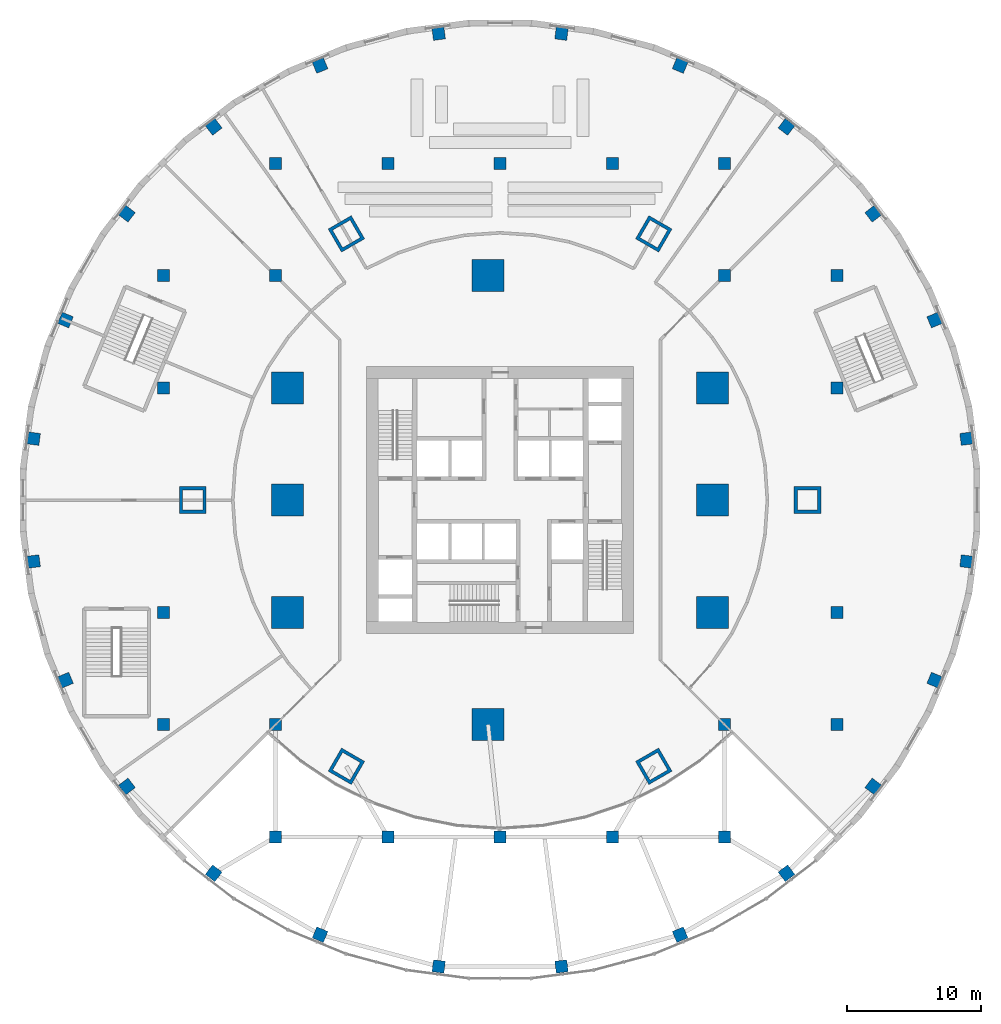
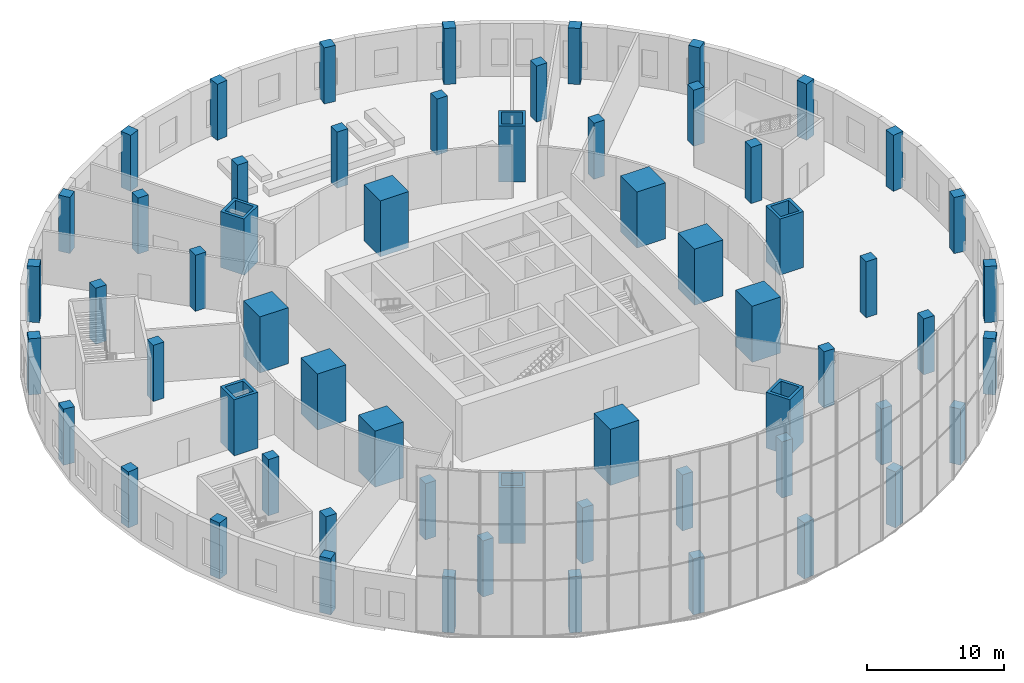
# One storey, part 1 of 17: 60 columns.
"""IFC4 building model written with IfcOpenShell, lengths in metres."""

import ifcopenshell
import ifcopenshell.guid

model = None  # the IFC model being written
_history = None  # IfcOwnerHistory: only IFC2X3 demands one
_inside = {}  # id of a spatial element -> (the spatial element, [elements in it])
_under = {}  # id of a project, library or spatial element -> (it, [spatial elements below it])
_declared = {}  # id of a project -> (the project, [libraries it declares])
_typed = {}  # id of a type object -> (the type object, [elements of that type])
_made_of = {}  # id of a material, layer set ... -> (it, [elements and type objects made of it])


def new_model(schema):
    """Start an empty IFC model of exactly this schema.

    Asked for "IFC4X3", IfcOpenShell would pick the latest addendum, in which some entities
    have other attributes; the version numbers below select the first issue.
    IFC2X3 requires an IfcOwnerHistory on every rooted entity: one is made here for all.
    """
    global model, _history
    if schema == "IFC4X3":
        model = ifcopenshell.file(schema_version=(4, 3, 0, 0))
    else:
        model = ifcopenshell.file(schema=schema)
    _inside.clear()
    _under.clear()
    _declared.clear()
    _typed.clear()
    _made_of.clear()
    _history = None
    if model.schema == "IFC2X3":
        org = make("IfcOrganization", Name="unknown")
        user = make(
            "IfcPersonAndOrganization",
            ThePerson=make("IfcPerson", FamilyName="unknown"),
            TheOrganization=org,
        )
        app = make(
            "IfcApplication",
            ApplicationDeveloper=org,
            Version="unknown",
            ApplicationFullName="unknown",
            ApplicationIdentifier="unknown",
        )
        _history = make(
            "IfcOwnerHistory",
            OwningUser=user,
            OwningApplication=app,
            ChangeAction="ADDED",
            CreationDate=0,
        )
    return model


def make(cls, **values):
    """One entity of the class cls with the attributes given. An attribute that is None is left unset."""
    return model.create_entity(
        cls, **{name: value for name, value in values.items() if value is not None}
    )


def rooted(cls, **values):
    """An entity with a GlobalId (a new one), such as an element, a storey or a relation."""
    return make(cls, GlobalId=ifcopenshell.guid.new(), OwnerHistory=_history, **values)


def si_unit(unit_type, name, prefix=None):
    """IfcSIUnit, for example si_unit("LENGTHUNIT", "METRE", prefix="MILLI")."""
    return make("IfcSIUnit", UnitType=unit_type, Prefix=prefix, Name=name)


def assignment(units):
    """IfcUnitAssignment: the units of a project."""
    return None if units is None else make("IfcUnitAssignment", Units=units)


def point(xyz):
    """IfcCartesianPoint."""
    return None if xyz is None else make("IfcCartesianPoint", Coordinates=xyz)


def direction(xyz):
    """IfcDirection."""
    return None if xyz is None else make("IfcDirection", DirectionRatios=xyz)


def frame(location, z_axis=None, x_axis=None):
    """IfcAxis2Placement3D, a coordinate frame: its origin and axes. An axis left out is left unset."""
    return make(
        "IfcAxis2Placement3D",
        Location=point(location),
        Axis=direction(z_axis),
        RefDirection=direction(x_axis),
    )


def frame_2d(location, x_axis=None):
    """IfcAxis2Placement2D, a coordinate frame in the plane: its origin and x axis."""
    return make(
        "IfcAxis2Placement2D", Location=point(location), RefDirection=direction(x_axis)
    )


def origin():
    """The frame at (0, 0, 0) with its axes left unset."""
    return frame((0.0, 0.0, 0.0))


def origin_2d():
    """The frame at (0, 0) in the plane with its x axis left unset."""
    return frame_2d((0.0, 0.0))


def place(relative_to, where):
    """IfcLocalPlacement: puts the frame where relative to a parent placement (None: the world)."""
    return make(
        "IfcLocalPlacement", PlacementRelTo=relative_to, RelativePlacement=where
    )


def context(
    kind, dimensions, precision=None, world=None, true_north=None, identifier=None
):
    """IfcGeometricRepresentationContext, for example the 3D "Model" context."""
    return make(
        "IfcGeometricRepresentationContext",
        ContextIdentifier=identifier,
        ContextType=kind,
        CoordinateSpaceDimension=dimensions,
        Precision=precision,
        WorldCoordinateSystem=world,
        TrueNorth=true_north,
    )


def subcontext(parent, identifier, kind, view, scale=None):
    """IfcGeometricRepresentationSubContext, for example "Body" below "Model"."""
    return make(
        "IfcGeometricRepresentationSubContext",
        ContextIdentifier=identifier,
        ContextType=kind,
        ParentContext=parent,
        TargetScale=scale,
        TargetView=view,
    )


def project(units=None, contexts=None):
    """IfcProject with its units and contexts."""
    return rooted(
        "IfcProject",
        Name="project",
        RepresentationContexts=contexts,
        UnitsInContext=assignment(units),
    )


def spatial(cls, under=None, at=None, **own):
    """A site, building, storey or space (cls), placed at a placement, below another one or the project."""
    s = rooted(cls, ObjectPlacement=at, **own)
    if under is not None:
        _under.setdefault(under.id(), (under, []))[1].append(s)
    return s


def profile(cls, at=None, kind="AREA", **sizes):
    """A parametric profile (cls). Its sizes go by their IFC names, for example OverallWidth=200.0."""
    return make(cls, ProfileType=kind, Position=at, **sizes)


def rectangle(**sizes):
    """IfcRectangleProfileDef."""
    return profile("IfcRectangleProfileDef", **sizes)


def hollow_rectangle(**sizes):
    """IfcRectangleHollowProfileDef."""
    return profile("IfcRectangleHollowProfileDef", **sizes)


def extrude(swept, where, along, depth):
    """IfcExtrudedAreaSolid: the profile swept, set in the frame where, extruded along a direction by depth."""
    return make(
        "IfcExtrudedAreaSolid",
        SweptArea=swept,
        Position=where,
        ExtrudedDirection=direction(along),
        Depth=depth,
    )


def shape(context_of_items, identifier, shape_type, items):
    """IfcShapeRepresentation: the items that make up one representation, for example the "Body"."""
    return make(
        "IfcShapeRepresentation",
        ContextOfItems=context_of_items,
        RepresentationIdentifier=identifier,
        RepresentationType=shape_type,
        Items=items,
    )


def material(Name=None, Category=None):
    """IfcMaterial."""
    return make("IfcMaterial", Name=Name, Category=Category)


def material_profile(
    of_material, cross_section, Name=None, Category=None, Priority=None
):
    """IfcMaterialProfile: a cross section and its material."""
    return make(
        "IfcMaterialProfile",
        Name=Name,
        Material=of_material,
        Profile=cross_section,
        Priority=Priority,
        Category=Category,
    )


def profile_set(profiles, Name=None, composite=None):
    """IfcMaterialProfileSet."""
    return make(
        "IfcMaterialProfileSet",
        Name=Name,
        MaterialProfiles=profiles,
        CompositeProfile=composite,
    )


def made_of(thing, what):
    """Note that an element or type object is made of a material, layer set ...; save() writes the relation."""
    if what is not None:
        _made_of.setdefault(what.id(), (what, []))[1].append(thing)
    return thing


def type_object(cls, material=None, **own):
    """A type object (cls), such as IfcWallType, which elements share."""
    return made_of(rooted(cls, **own), material)


def element(
    cls,
    number,
    at=None,
    inside=None,
    cuts=None,
    type_object=None,
    material=None,
    context=None,
    identifier="Body",
    shape_type=None,
    held_by="IfcProductDefinitionShape",
    body=None,
    shapes=None,
    **own,
):
    """One element of the class cls, such as IfcWall. Its Tag is "e" and its number.

    at: its placement. inside: the storey or other place that contains it. cuts: it is an
    opening in that element (IfcRelVoidsElement). A single representation is given by context,
    identifier, shape_type and body (its items); several are given by shapes. held_by: the class
    of the entity that holds the representations. save() writes the other relations.
    """
    e = rooted(cls, Tag="e%d" % number, ObjectPlacement=at, **own)
    if body is not None:
        shapes = [shape(context, identifier, shape_type, body)]
    if shapes is not None:
        e.Representation = make(held_by, Representations=shapes)
    if inside is not None:
        _inside.setdefault(inside.id(), (inside, []))[1].append(e)
    if cuts is not None:
        rooted(
            "IfcRelVoidsElement", RelatingBuildingElement=cuts, RelatedOpeningElement=e
        )
    if type_object is not None:
        _typed.setdefault(type_object.id(), (type_object, []))[1].append(e)
    return made_of(e, material)


def aggregate(whole, parts):
    """IfcRelAggregates: a whole, such as a stair, and the parts it consists of."""
    return rooted("IfcRelAggregates", RelatingObject=whole, RelatedObjects=parts)


def save(model, path):
    """Write the relations noted so far, then the file.

    IfcRelAggregates (storeys below a building ...), IfcRelContainedInSpatialStructure (elements
    in a storey), IfcRelDefinesByType, IfcRelAssociatesMaterial and IfcRelDeclares: one each for
    every whole, place, type object, material and project.
    """
    for whole, parts in _under.values():
        aggregate(whole, parts)
    for where, things in _inside.values():
        rooted(
            "IfcRelContainedInSpatialStructure",
            RelatedElements=things,
            RelatingStructure=where,
        )
    for kind, things in _typed.values():
        rooted("IfcRelDefinesByType", RelatedObjects=things, RelatingType=kind)
    for what, things in _made_of.values():
        rooted("IfcRelAssociatesMaterial", RelatedObjects=things, RelatingMaterial=what)
    for by, libraries in _declared.values():
        rooted("IfcRelDeclares", RelatingContext=by, RelatedDefinitions=libraries)
    model.write(path)


model = new_model("IFC4")

# Units and contexts
model_context = context("Model", 3, precision=1e-05, world=origin(), true_north=direction((0.0, 1.0)))
body_context = subcontext(model_context, "Body", "Model", "MODEL_VIEW")
ifc_project = project(units=[si_unit("LENGTHUNIT", "METRE"), si_unit("AREAUNIT", "SQUARE_METRE"), si_unit("VOLUMEUNIT", "CUBIC_METRE"), si_unit("PLANEANGLEUNIT", "RADIAN"), si_unit("MASSUNIT", "GRAM", prefix="KILO")], contexts=[model_context])

# Site, building, storey
site_placement = place(None, origin())
site = spatial("IfcSite", under=ifc_project, at=site_placement, CompositionType="ELEMENT")
building_placement = place(site_placement, origin())
building = spatial("IfcBuilding", under=site, at=building_placement, Name="Golbaran Civic Tower", CompositionType="ELEMENT")
storey_placement = place(building_placement, frame((0.0, 0.0, 6.0)))
storey = spatial("IfcBuildingStorey", under=building, at=storey_placement, Name="L01", CompositionType="ELEMENT", Elevation=6.0)

# Columns
ifc_material_1 = material(Name="Steel S355", Category="steel")
ifc_material_profile_1 = material_profile(ifc_material_1, hollow_rectangle(XDim=2.0, YDim=2.0, WallThickness=0.239990234375, at=origin_2d()), Name="BOX 2000x2000x240")
ifc_profile_set_1 = profile_set([ifc_material_profile_1], Name="Steel S355")
column_type_1 = type_object("IfcColumnType", Name="MEGA COLUMN BOX 2000x2000x240", PredefinedType="COLUMN", material=ifc_profile_set_1)
for number, where, z_axis, x_axis, name in (
    (1, (23.0, 0.0, 0.0), (0.0, 0.0, 1.0), (1.0, 0.0, 0.0), "Column mega 0 L01"),
    (2, (11.5, 19.918701171875, 0.0), (0.0, 0.0, 1.0), (0.5, 0.866025403784, 0.0), "Column mega 60 L01"),
    (3, (-11.5, 19.918701171875, 0.0), (0.0, 0.0, 1.0), (-0.5, 0.866025403784, 0.0), "Column mega 120 L01"),
    (4, (-23.0, 0.0, 0.0), (0.0, 0.0, 1.0), (-1.0, 0.0, 0.0), "Column mega 180 L01"),
    (5, (-11.5, -19.918701171875, 0.0), (0.0, 0.0, 1.0), (-0.5, -0.866025403784, 0.0), "Column mega 240 L01"),
    (6, (11.5, -19.918701171875, 0.0), (0.0, 0.0, 1.0), (0.5, -0.866025403784, 0.0), "Column mega 300 L01"),
):
    element("IfcColumn", number, at=place(storey_placement, frame(where, z_axis=z_axis, x_axis=x_axis)), inside=storey, type_object=column_type_1, Name=name, PredefinedType="COLUMN", context=body_context, shape_type="SweptSolid", body=[
        extrude(hollow_rectangle(XDim=2.0, YDim=2.0, WallThickness=0.239990234375, at=origin_2d()), origin(), (0.0, 0.0, 1.0), 5.0),
    ])
ifc_material_2 = material(Name="Concrete C50/60", Category="concrete")
ifc_material_profile_2 = material_profile(ifc_material_2, rectangle(XDim=0.89990234375, YDim=0.89990234375, at=origin_2d()), Name="RC 900x900")
ifc_profile_set_2 = profile_set([ifc_material_profile_2], Name="Concrete C50/60")
column_type_2 = type_object("IfcColumnType", Name="PODIUM COLUMN RC 900x900", PredefinedType="COLUMN", material=ifc_profile_set_2)
for number, where, z_axis, x_axis, name in (
    (7, (-25.199951171875, -16.800048828125, 0.0), (0.0, 0.0, 1.0), (1.0, 0.0, 0.0), "Column 3/D L01"),
    (8, (-25.199951171875, -8.39990234375, 0.0), (0.0, 0.0, 1.0), (1.0, 0.0, 0.0), "Column 3/E L01"),
    (9, (-25.199951171875, 8.39990234375, 0.0), (0.0, 0.0, 1.0), (1.0, 0.0, 0.0), "Column 3/G L01"),
    (10, (-25.199951171875, 16.800048828125, 0.0), (0.0, 0.0, 1.0), (1.0, 0.0, 0.0), "Column 3/H L01"),
    (11, (-16.800048828125, -25.199951171875, 0.0), (0.0, 0.0, 1.0), (1.0, 0.0, 0.0), "Column 4/C L01"),
    (12, (-16.800048828125, -16.800048828125, 0.0), (0.0, 0.0, 1.0), (1.0, 0.0, 0.0), "Column 4/D L01"),
    (13, (-16.800048828125, 16.800048828125, 0.0), (0.0, 0.0, 1.0), (1.0, 0.0, 0.0), "Column 4/H L01"),
    (14, (-16.800048828125, 25.199951171875, 0.0), (0.0, 0.0, 1.0), (1.0, 0.0, 0.0), "Column 4/J L01"),
    (15, (-8.39990234375, -25.199951171875, 0.0), (0.0, 0.0, 1.0), (1.0, 0.0, 0.0), "Column 5/C L01"),
    (16, (-8.39990234375, 25.199951171875, 0.0), (0.0, 0.0, 1.0), (1.0, 0.0, 0.0), "Column 5/J L01"),
    (17, (0.0, -25.199951171875, 0.0), (0.0, 0.0, 1.0), (1.0, 0.0, 0.0), "Column 6/C L01"),
    (18, (0.0, 25.199951171875, 0.0), (0.0, 0.0, 1.0), (1.0, 0.0, 0.0), "Column 6/J L01"),
    (19, (8.39990234375, -25.199951171875, 0.0), (0.0, 0.0, 1.0), (1.0, 0.0, 0.0), "Column 7/C L01"),
    (20, (8.39990234375, 25.199951171875, 0.0), (0.0, 0.0, 1.0), (1.0, 0.0, 0.0), "Column 7/J L01"),
    (21, (16.800048828125, -25.199951171875, 0.0), (0.0, 0.0, 1.0), (1.0, 0.0, 0.0), "Column 8/C L01"),
    (22, (16.800048828125, -16.800048828125, 0.0), (0.0, 0.0, 1.0), (1.0, 0.0, 0.0), "Column 8/D L01"),
    (23, (16.800048828125, 16.800048828125, 0.0), (0.0, 0.0, 1.0), (1.0, 0.0, 0.0), "Column 8/H L01"),
    (24, (16.800048828125, 25.199951171875, 0.0), (0.0, 0.0, 1.0), (1.0, 0.0, 0.0), "Column 8/J L01"),
    (25, (25.199951171875, -16.800048828125, 0.0), (0.0, 0.0, 1.0), (1.0, 0.0, 0.0), "Column 9/D L01"),
    (26, (25.199951171875, -8.39990234375, 0.0), (0.0, 0.0, 1.0), (1.0, 0.0, 0.0), "Column 9/E L01"),
    (27, (25.199951171875, 8.39990234375, 0.0), (0.0, 0.0, 1.0), (1.0, 0.0, 0.0), "Column 9/G L01"),
    (28, (25.199951171875, 16.800048828125, 0.0), (0.0, 0.0, 1.0), (1.0, 0.0, 0.0), "Column 9/H L01"),
):
    element("IfcColumn", number, at=place(storey_placement, frame(where, z_axis=z_axis, x_axis=x_axis)), inside=storey, type_object=column_type_2, Name=name, PredefinedType="COLUMN", context=body_context, shape_type="SweptSolid", body=[
        extrude(rectangle(XDim=0.89990234375, YDim=0.89990234375, at=origin_2d()), origin(), (0.0, 0.0, 1.0), 5.0),
    ])
ifc_material_profile_3 = material_profile(ifc_material_2, rectangle(XDim=2.39990234375, YDim=2.39990234375, at=origin_2d()), Name="RC 2400x2400")
ifc_profile_set_3 = profile_set([ifc_material_profile_3], Name="Concrete C50/60")
column_type_3 = type_object("IfcColumnType", Name="PODIUM COLUMN UNDER TOWER RC 2400x2400", PredefinedType="COLUMN", material=ifc_profile_set_3)
for number, where, z_axis, x_axis, name in (
    (29, (-15.89990234375, -8.39990234375, 0.0), (0.0, 0.0, 1.0), (1.0, 0.0, 0.0), "Column 4/E L01"),
    (30, (-15.89990234375, 0.0, 0.0), (0.0, 0.0, 1.0), (1.0, 0.0, 0.0), "Column 4/F L01"),
    (31, (-15.89990234375, 8.39990234375, 0.0), (0.0, 0.0, 1.0), (1.0, 0.0, 0.0), "Column 4/G L01"),
    (32, (-0.89990234375, -16.800048828125, 0.0), (0.0, 0.0, 1.0), (1.0, 0.0, 0.0), "Column 6/D L01"),
    (33, (-0.89990234375, 16.800048828125, 0.0), (0.0, 0.0, 1.0), (1.0, 0.0, 0.0), "Column 6/H L01"),
    (34, (15.89990234375, -8.39990234375, 0.0), (0.0, 0.0, 1.0), (1.0, 0.0, 0.0), "Column 8/E L01"),
    (35, (15.89990234375, 0.0, 0.0), (0.0, 0.0, 1.0), (1.0, 0.0, 0.0), "Column 8/F L01"),
    (36, (15.89990234375, 8.39990234375, 0.0), (0.0, 0.0, 1.0), (1.0, 0.0, 0.0), "Column 8/G L01"),
):
    element("IfcColumn", number, at=place(storey_placement, frame(where, z_axis=z_axis, x_axis=x_axis)), inside=storey, type_object=column_type_3, Name=name, PredefinedType="COLUMN", context=body_context, shape_type="SweptSolid", body=[
        extrude(rectangle(XDim=2.39990234375, YDim=2.39990234375, at=origin_2d()), origin(), (0.0, 0.0, 1.0), 5.0),
    ])
ifc_material_profile_4 = material_profile(ifc_material_2, rectangle(XDim=0.89990234375, YDim=0.89990234375, at=origin_2d()), Name="RC 900x900")
ifc_profile_set_4 = profile_set([ifc_material_profile_4], Name="Concrete C50/60")
column_type_4 = type_object("IfcColumnType", Name="PODIUM EDGE COLUMN RC 900x900", PredefinedType="COLUMN", material=ifc_profile_set_4)
for number, where, z_axis, x_axis, name in (
    (37, (34.89892578125, 4.594482421875, 0.0), (0.0, 0.0, 1.0), (0.991444861374, 0.13052619222, 0.0), "Column edge 7.5 L01"),
    (38, (32.5205078125, 13.470458984375, 0.0), (0.0, 0.0, 1.0), (0.923879532511, 0.382683432365, 0.0), "Column edge 22.5 L01"),
    (39, (27.926025390625, 21.428466796875, 0.0), (0.0, 0.0, 1.0), (0.793353340291, 0.608761429009, 0.0), "Column edge 37.5 L01"),
    (40, (21.428466796875, 27.926025390625, 0.0), (0.0, 0.0, 1.0), (0.608761429009, 0.793353340291, 0.0), "Column edge 52.5 L01"),
    (41, (13.470458984375, 32.5205078125, 0.0), (0.0, 0.0, 1.0), (0.382683432365, 0.923879532511, 0.0), "Column edge 67.5 L01"),
    (42, (4.594482421875, 34.89892578125, 0.0), (0.0, 0.0, 1.0), (0.13052619222, 0.991444861374, 0.0), "Column edge 82.5 L01"),
    (43, (-4.594482421875, 34.89892578125, 0.0), (0.0, 0.0, 1.0), (-0.13052619222, 0.991444861374, 0.0), "Column edge 97.5 L01"),
    (44, (-13.470458984375, 32.5205078125, 0.0), (0.0, 0.0, 1.0), (-0.382683432365, 0.923879532511, 0.0), "Column edge 112.5 L01"),
    (45, (-21.428466796875, 27.926025390625, 0.0), (0.0, 0.0, 1.0), (-0.608761429009, 0.793353340291, 0.0), "Column edge 127.5 L01"),
    (46, (-27.926025390625, 21.428466796875, 0.0), (0.0, 0.0, 1.0), (-0.793353340291, 0.608761429009, 0.0), "Column edge 142.5 L01"),
    (47, (-32.5205078125, 13.470458984375, 0.0), (0.0, 0.0, 1.0), (-0.923879532511, 0.382683432365, 0.0), "Column edge 157.5 L01"),
    (48, (-34.89892578125, 4.594482421875, 0.0), (0.0, 0.0, 1.0), (-0.991444861374, 0.13052619222, 0.0), "Column edge 172.5 L01"),
    (49, (-34.89892578125, -4.594482421875, 0.0), (0.0, 0.0, 1.0), (-0.991444861374, -0.13052619222, 0.0), "Column edge 187.5 L01"),
    (50, (-32.5205078125, -13.470458984375, 0.0), (0.0, 0.0, 1.0), (-0.923879532511, -0.382683432365, 0.0), "Column edge 202.5 L01"),
    (51, (-27.926025390625, -21.428466796875, 0.0), (0.0, 0.0, 1.0), (-0.793353340291, -0.608761429009, 0.0), "Column edge 217.5 L01"),
    (52, (-21.428466796875, -27.926025390625, 0.0), (0.0, 0.0, 1.0), (-0.608761429009, -0.793353340291, 0.0), "Column edge 232.5 L01"),
    (53, (-13.470458984375, -32.5205078125, 0.0), (0.0, 0.0, 1.0), (-0.382683432365, -0.923879532511, 0.0), "Column edge 247.5 L01"),
    (54, (-4.594482421875, -34.89892578125, 0.0), (0.0, 0.0, 1.0), (-0.13052619222, -0.991444861374, 0.0), "Column edge 262.5 L01"),
    (55, (4.594482421875, -34.89892578125, 0.0), (0.0, 0.0, 1.0), (0.13052619222, -0.991444861374, 0.0), "Column edge 277.5 L01"),
    (56, (13.470458984375, -32.5205078125, 0.0), (0.0, 0.0, 1.0), (0.382683432365, -0.923879532511, 0.0), "Column edge 292.5 L01"),
    (57, (21.428466796875, -27.926025390625, 0.0), (0.0, 0.0, 1.0), (0.608761429009, -0.793353340291, 0.0), "Column edge 307.5 L01"),
    (58, (27.926025390625, -21.428466796875, 0.0), (0.0, 0.0, 1.0), (0.793353340291, -0.608761429009, 0.0), "Column edge 322.5 L01"),
    (59, (32.5205078125, -13.470458984375, 0.0), (0.0, 0.0, 1.0), (0.923879532511, -0.382683432365, 0.0), "Column edge 337.5 L01"),
    (60, (34.89892578125, -4.594482421875, 0.0), (0.0, 0.0, 1.0), (0.991444861374, -0.13052619222, 0.0), "Column edge 352.5 L01"),
):
    element("IfcColumn", number, at=place(storey_placement, frame(where, z_axis=z_axis, x_axis=x_axis)), inside=storey, type_object=column_type_4, Name=name, PredefinedType="COLUMN", context=body_context, shape_type="SweptSolid", body=[
        extrude(rectangle(XDim=0.89990234375, YDim=0.89990234375, at=origin_2d()), origin(), (0.0, 0.0, 1.0), 5.0),
    ])

save(model, "model.ifc")
